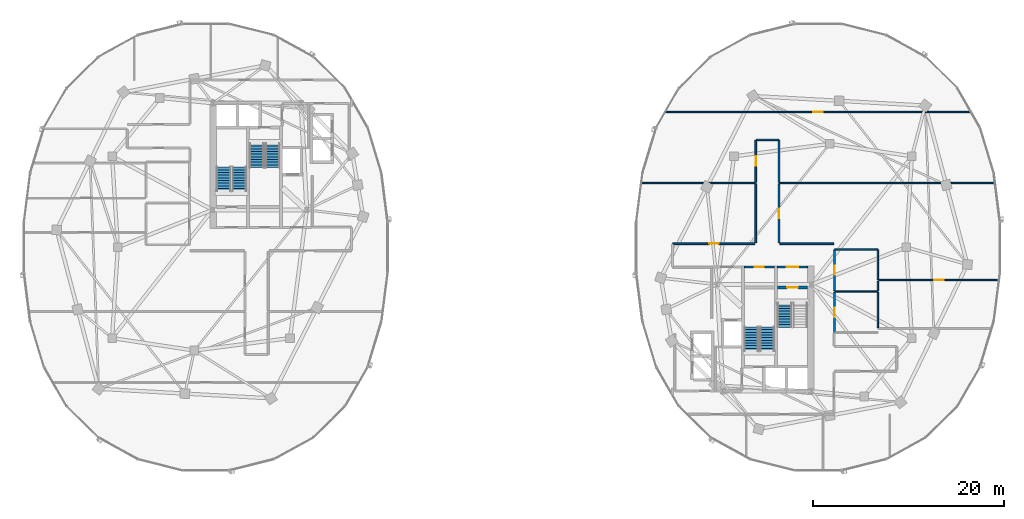
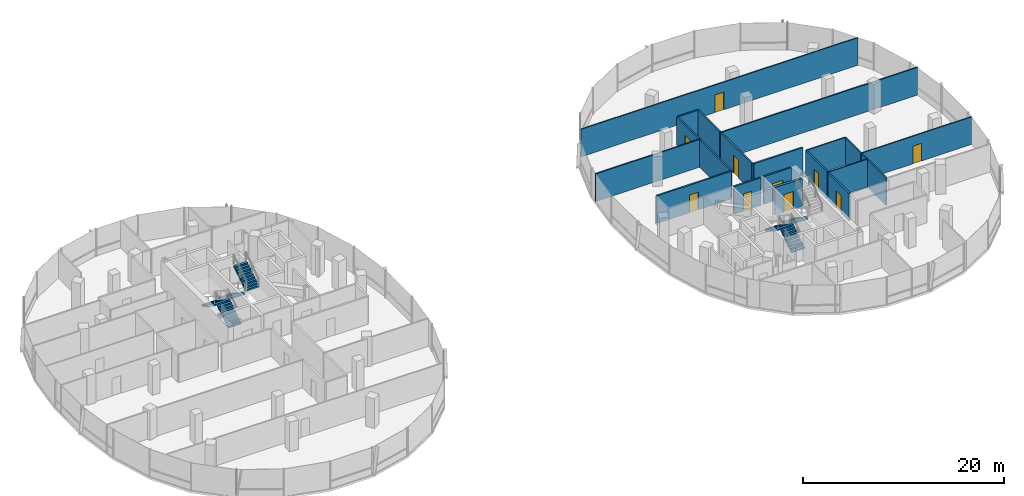
# One storey, part 15 of 23: 21 walls, 10 doors, 7 stair flights, 10 openings, 4 elements without a shape of their own.
"""IFC4 building model written with IfcOpenShell, lengths in metres."""

from ifc_helpers import new_model, si_unit, direction, frame, frame_2d, origin, place, context, subcontext, project, spatial, polyline, rectangle, outline, extrude, material, layer, layer_set, type_object, element, fill, aggregate, save


model = new_model("IFC4")

# Units and contexts
model_context = context("Model", 3, precision=1e-05, world=origin(), true_north=direction((0.0, 1.0)))
body_context = subcontext(model_context, "Body", "Model", "MODEL_VIEW")
ifc_project = project(units=[si_unit("LENGTHUNIT", "METRE"), si_unit("AREAUNIT", "SQUARE_METRE"), si_unit("VOLUMEUNIT", "CUBIC_METRE"), si_unit("PLANEANGLEUNIT", "RADIAN"), si_unit("MASSUNIT", "GRAM", prefix="KILO"), si_unit("THERMODYNAMICTEMPERATUREUNIT", "KELVIN"), si_unit("POWERUNIT", "WATT")], contexts=[model_context])

# Site, building, storey
site_placement = place(None, origin())
site = spatial("IfcSite", under=ifc_project, at=site_placement, CompositionType="ELEMENT")
building_placement = place(site_placement, origin())
building = spatial("IfcBuilding", under=site, at=building_placement, Name="Cundina Bronze Exchange", CompositionType="ELEMENT")
storey_placement = place(building_placement, frame((0.0, 0.0, 169.199951171875)))
storey = spatial("IfcBuildingStorey", under=building, at=storey_placement, Name="L44", CompositionType="ELEMENT", Elevation=169.199951171875)

# Wall, opening, door
ifc_material_1 = material(Name="Gypsum Fireboard Partition EI120")
ifc_layer_1 = layer(ifc_material_1, 0.179931640625, Name="Gypsum Fireboard Partition EI120")
ifc_layer_set_1 = layer_set([ifc_layer_1], Name="Gypsum Fireboard Partition EI120")
wall_type_1 = type_object("IfcWallType", Name="WL-COR-180", PredefinedType="PARTITIONING", material=ifc_layer_set_1)
wall_1_placement = place(storey_placement, frame((27.739990234375, -2.06005859375, 0.0), z_axis=(0.0, 0.0, 1.0), x_axis=(1.0, 0.0, 0.0)))
wall_1 = element("IfcWall", 1, at=wall_1_placement, inside=storey, type_object=wall_type_1, Name="L44 E Stair Vestibule Exit Wall", PredefinedType="PARTITIONING", context=body_context, shape_type="SweptSolid", body=[
    extrude(rectangle(XDim=3.159912109375, YDim=0.179931640625, at=frame_2d((1.580078125, 0.0))), origin(), (0.0, 0.0, 1.0), 3.360107421875),
])
opening_1_placement = place(wall_1_placement, frame((0.97998046875, 0.0, 0.0)))
opening_1 = element("IfcOpeningElement", 2, at=opening_1_placement, cuts=wall_1, Name="Opening DF-01", PredefinedType="OPENING", context=body_context, shape_type="SweptSolid", body=[
    extrude(rectangle(XDim=1.199951171875, YDim=2.14990234375, at=frame_2d((0.60009765625, 1.074951171875))), frame((0.0, 0.099853515625, 0.0), z_axis=(0.0, -1.0, 0.0), x_axis=(1.0, 0.0, 0.0)), (0.0, 0.0, 1.0), 0.199951171875),
])
ifc_material_2 = material(Name="Steel ASTM A36 Painted", Category="steel")
door_type_1 = type_object("IfcDoorType", Name="DR-FFL-1200", OperationType="NOTDEFINED", PredefinedType="DOOR", material=ifc_material_2)
door_1_placement = place(opening_1_placement, origin())
door_1 = element("IfcDoor", 3, at=door_1_placement, inside=storey, type_object=door_type_1, Name="L44 E Stair Vestibule Door", OperationType="SINGLE_SWING_RIGHT", OverallHeight=2.14990234375, OverallWidth=1.199951171875, PredefinedType="DOOR", context=body_context, shape_type="SweptSolid", body=[
    extrude(rectangle(XDim=1.199951171875, YDim=2.14990234375, at=frame_2d((0.60009765625, 1.074951171875))), frame((0.0, 0.02490234375, 0.0), z_axis=(0.0, -1.0, 0.0), x_axis=(1.0, 0.0, 0.0)), (0.0, 0.0, 1.0), 0.050048828125),
])
fill(opening_1, door_1)

wall_2_placement = place(storey_placement, frame((24.300048828125, -2.070068359375, 0.0), z_axis=(0.0, 0.0, 1.0), x_axis=(1.0, 0.0, 0.0)))
wall_2 = element("IfcWall", 4, at=wall_2_placement, inside=storey, type_object=wall_type_1, Name="L44 Interior Partition 051", PredefinedType="PARTITIONING", context=body_context, shape_type="SweptSolid", body=[
    extrude(rectangle(XDim=3.119873046875, YDim=0.179931640625, at=frame_2d((1.56005859375, 0.0))), origin(), (0.0, 0.0, 1.0), 3.360107421875),
])
opening_2_placement = place(wall_2_placement, frame((1.0849609375, 0.0, 0.0)))
opening_2 = element("IfcOpeningElement", 5, at=opening_2_placement, cuts=wall_2, Name="Opening DW-01", PredefinedType="OPENING", context=body_context, shape_type="SweptSolid", body=[
    extrude(rectangle(XDim=0.949951171875, YDim=2.10009765625, at=frame_2d((0.47509765625, 1.050048828125))), frame((0.0, 0.099853515625, 0.0), z_axis=(0.0, -1.0, 0.0), x_axis=(1.0, 0.0, 0.0)), (0.0, 0.0, 1.0), 0.199951171875),
])
ifc_material_3 = material(Name="Solid Andean Oak Timber Grade A", Category="wood")
door_type_2 = type_object("IfcDoorType", Name="DR-WC-950", OperationType="NOTDEFINED", PredefinedType="DOOR", material=ifc_material_3)
door_2_placement = place(opening_2_placement, origin())
door_2 = element("IfcDoor", 6, at=door_2_placement, inside=storey, type_object=door_type_2, Name="L44 Interior Door 051", OperationType="SINGLE_SWING_RIGHT", OverallHeight=2.10009765625, OverallWidth=0.949951171875, PredefinedType="DOOR", context=body_context, shape_type="SweptSolid", body=[
    extrude(rectangle(XDim=0.949951171875, YDim=2.10009765625, at=frame_2d((0.47509765625, 1.050048828125))), frame((0.0, 0.02490234375, 0.0), z_axis=(0.0, -1.0, 0.0), x_axis=(1.0, 0.0, 0.0)), (0.0, 0.0, 1.0), 0.050048828125),
])
fill(opening_2, door_2)

wall_3_placement = place(storey_placement, frame((33.719970703125, -4.530029296875, 0.0), z_axis=(0.0, 0.0, 1.0), x_axis=(0.0, 1.0, 0.0)))
wall_3 = element("IfcWall", 7, at=wall_3_placement, inside=storey, type_object=wall_type_1, Name="L44 Interior Partition 059", PredefinedType="PARTITIONING", context=body_context, shape_type="SweptSolid", body=[
    extrude(rectangle(XDim=4.260009765625, YDim=0.179931640625, at=frame_2d((2.1298828125, 0.0))), origin(), (0.0, 0.0, 1.0), 3.360107421875),
])
opening_3_placement = place(wall_3_placement, frame((1.655029296875, 0.0, 0.0)))
opening_3 = element("IfcOpeningElement", 8, at=opening_3_placement, cuts=wall_3, Name="Opening DW-01", PredefinedType="OPENING", context=body_context, shape_type="SweptSolid", body=[
    extrude(rectangle(XDim=0.949951171875, YDim=2.10009765625, at=frame_2d((0.47509765625, 1.050048828125))), frame((0.0, 0.099853515625, 0.0), z_axis=(0.0, -1.0, 0.0), x_axis=(1.0, 0.0, 0.0)), (0.0, 0.0, 1.0), 0.199951171875),
])
door_3_placement = place(opening_3_placement, origin())
door_3 = element("IfcDoor", 9, at=door_3_placement, inside=storey, type_object=door_type_2, Name="L44 Interior Door 059", OperationType="SINGLE_SWING_RIGHT", OverallHeight=2.10009765625, OverallWidth=0.949951171875, PredefinedType="DOOR", context=body_context, shape_type="SweptSolid", body=[
    extrude(rectangle(XDim=0.949951171875, YDim=2.10009765625, at=frame_2d((0.47509765625, 1.050048828125))), frame((0.0, 0.02490234375, 0.0), z_axis=(0.0, -1.0, 0.0), x_axis=(1.0, 0.0, 0.0)), (0.0, 0.0, 1.0), 0.050048828125),
])
fill(opening_3, door_3)

wall_4_placement = place(storey_placement, frame((33.719970703125, -8.889892578125, 0.0), z_axis=(0.0, 0.0, 1.0), x_axis=(0.0, 1.0, 0.0)))
wall_4 = element("IfcWall", 10, at=wall_4_placement, inside=storey, type_object=wall_type_1, Name="L44 Interior Partition 060", PredefinedType="PARTITIONING", context=body_context, shape_type="SweptSolid", body=[
    extrude(rectangle(XDim=4.159912109375, YDim=0.179931640625, at=frame_2d((2.080078125, 0.0))), origin(), (0.0, 0.0, 1.0), 3.360107421875),
])
opening_4_placement = place(wall_4_placement, frame((1.580078125, 0.0, 0.0)))
opening_4 = element("IfcOpeningElement", 11, at=opening_4_placement, cuts=wall_4, Name="Opening DO-01", PredefinedType="OPENING", context=body_context, shape_type="SweptSolid", body=[
    extrude(rectangle(XDim=1.0, YDim=2.14990234375, at=frame_2d((0.5, 1.074951171875))), frame((0.0, 0.099853515625, 0.0), z_axis=(0.0, -1.0, 0.0), x_axis=(1.0, 0.0, 0.0)), (0.0, 0.0, 1.0), 0.199951171875),
])
door_type_3 = type_object("IfcDoorType", Name="DR-OFF-1000", OperationType="NOTDEFINED", PredefinedType="DOOR", material=ifc_material_3)
door_4_placement = place(opening_4_placement, origin())
door_4 = element("IfcDoor", 12, at=door_4_placement, inside=storey, type_object=door_type_3, Name="L44 Interior Door 060", OperationType="SINGLE_SWING_RIGHT", OverallHeight=2.14990234375, OverallWidth=1.0, PredefinedType="DOOR", context=body_context, shape_type="SweptSolid", body=[
    extrude(rectangle(XDim=1.0, YDim=2.14990234375, at=frame_2d((0.5, 1.074951171875))), frame((0.0, 0.02490234375, 0.0), z_axis=(0.0, -1.0, 0.0), x_axis=(1.0, 0.0, 0.0)), (0.0, 0.0, 1.0), 0.050048828125),
])
fill(opening_4, door_4)

wall_5_placement = place(storey_placement, frame((25.39990234375, 0.3701171875, 0.0), z_axis=(0.0, 0.0, 1.0), x_axis=(-1.0, 0.0, 0.0)))
wall_5 = element("IfcWall", 13, at=wall_5_placement, inside=storey, type_object=wall_type_1, Name="L44 Interior Partition 075", PredefinedType="PARTITIONING", context=body_context, shape_type="SweptSolid", body=[
    extrude(rectangle(XDim=8.578369140625, YDim=0.179931640625, at=frame_2d((4.2890625, 0.0))), origin(), (0.0, 0.0, 1.0), 3.360107421875),
])
opening_5_placement = place(wall_5_placement, frame((3.789306640625, 0.0, 0.0)))
opening_5 = element("IfcOpeningElement", 14, at=opening_5_placement, cuts=wall_5, Name="Opening DO-01", PredefinedType="OPENING", context=body_context, shape_type="SweptSolid", body=[
    extrude(rectangle(XDim=1.0, YDim=2.14990234375, at=frame_2d((0.5, 1.074951171875))), frame((0.0, 0.099853515625, 0.0), z_axis=(0.0, -1.0, 0.0), x_axis=(1.0, 0.0, 0.0)), (0.0, 0.0, 1.0), 0.199951171875),
])
door_5_placement = place(opening_5_placement, origin())
door_5 = element("IfcDoor", 15, at=door_5_placement, inside=storey, type_object=door_type_3, Name="L44 Interior Door 075", OperationType="SINGLE_SWING_RIGHT", OverallHeight=2.14990234375, OverallWidth=1.0, PredefinedType="DOOR", context=body_context, shape_type="SweptSolid", body=[
    extrude(rectangle(XDim=1.0, YDim=2.14990234375, at=frame_2d((0.5, 1.074951171875))), frame((0.0, 0.02490234375, 0.0), z_axis=(0.0, -1.0, 0.0), x_axis=(1.0, 0.0, 0.0)), (0.0, 0.0, 1.0), 0.050048828125),
])
fill(opening_5, door_5)

# Wall
wall_6_placement = place(storey_placement, frame((25.47998046875, 6.6201171875, 0.0), z_axis=(0.0, 0.0, 1.0), x_axis=(0.0, -1.0, 0.0)))
element("IfcWall", 16, at=wall_6_placement, inside=storey, type_object=wall_type_1, Name="L44 Interior Partition 076", PredefinedType="PARTITIONING", context=body_context, shape_type="SweptSolid", body=[
    extrude(rectangle(XDim=6.170166015625, YDim=0.179931640625, at=frame_2d((3.0849609375, 0.0))), origin(), (0.0, 0.0, 1.0), 3.360107421875),
])

# Wall, opening, door
wall_7_placement = place(storey_placement, frame((27.919921875, 0.449951171875, 0.0), z_axis=(0.0, 0.0, 1.0), x_axis=(0.0, 1.0, 0.0)))
wall_7 = element("IfcWall", 17, at=wall_7_placement, inside=storey, type_object=wall_type_1, Name="L44 Interior Partition 080", PredefinedType="PARTITIONING", context=body_context, shape_type="SweptSolid", body=[
    extrude(rectangle(XDim=6.170166015625, YDim=0.179931640625, at=frame_2d((3.0849609375, 0.0))), origin(), (0.0, 0.0, 1.0), 3.360107421875),
])
opening_6_placement = place(wall_7_placement, frame((2.5849609375, 0.0, 0.0)))
opening_6 = element("IfcOpeningElement", 18, at=opening_6_placement, cuts=wall_7, Name="Opening DO-01", PredefinedType="OPENING", context=body_context, shape_type="SweptSolid", body=[
    extrude(rectangle(XDim=1.0, YDim=2.14990234375, at=frame_2d((0.5, 1.074951171875))), frame((0.0, 0.099853515625, 0.0), z_axis=(0.0, -1.0, 0.0), x_axis=(1.0, 0.0, 0.0)), (0.0, 0.0, 1.0), 0.199951171875),
])
door_6_placement = place(opening_6_placement, origin())
door_6 = element("IfcDoor", 19, at=door_6_placement, inside=storey, type_object=door_type_3, Name="L44 Interior Door 080", OperationType="SINGLE_SWING_LEFT", OverallHeight=2.14990234375, OverallWidth=1.0, PredefinedType="DOOR", context=body_context, shape_type="SweptSolid", body=[
    extrude(rectangle(XDim=1.0, YDim=2.14990234375, at=frame_2d((0.5, 1.074951171875))), frame((0.0, 0.02490234375, 0.0), z_axis=(0.0, -1.0, 0.0), x_axis=(1.0, 0.0, 0.0)), (0.0, 0.0, 1.0), 0.050048828125),
])
fill(opening_6, door_6)

# Wall
wall_8_placement = place(storey_placement, frame((33.62841796875, 0.3701171875, 0.0), z_axis=(0.0, 0.0, 1.0), x_axis=(-1.0, 0.0, 0.0)))
element("IfcWall", 20, at=wall_8_placement, inside=storey, type_object=wall_type_1, Name="L44 Interior Partition 081", PredefinedType="PARTITIONING", context=body_context, shape_type="SweptSolid", body=[
    extrude(rectangle(XDim=5.62841796875, YDim=0.179931640625, at=frame_2d((2.814208984375, 0.0))), origin(), (0.0, 0.0, 1.0), 3.360107421875),
])

# Wall, opening, door
wall_9_placement = place(storey_placement, frame((25.47998046875, 11.178466796875, 0.0), z_axis=(0.0, 0.0, 1.0), x_axis=(0.0, -1.0, 0.0)))
wall_9 = element("IfcWall", 21, at=wall_9_placement, inside=storey, type_object=wall_type_1, Name="L44 Interior Partition 082", PredefinedType="PARTITIONING", context=body_context, shape_type="SweptSolid", body=[
    extrude(rectangle(XDim=4.37841796875, YDim=0.179931640625, at=frame_2d((2.189208984375, 0.0))), origin(), (0.0, 0.0, 1.0), 3.360107421875),
])
opening_7_placement = place(wall_9_placement, frame((1.689208984375, 0.0, 0.0)))
opening_7 = element("IfcOpeningElement", 22, at=opening_7_placement, cuts=wall_9, Name="Opening DO-01", PredefinedType="OPENING", context=body_context, shape_type="SweptSolid", body=[
    extrude(rectangle(XDim=1.0, YDim=2.14990234375, at=frame_2d((0.5, 1.074951171875))), frame((0.0, 0.099853515625, 0.0), z_axis=(0.0, -1.0, 0.0), x_axis=(1.0, 0.0, 0.0)), (0.0, 0.0, 1.0), 0.199951171875),
])
door_7_placement = place(opening_7_placement, origin())
door_7 = element("IfcDoor", 23, at=door_7_placement, inside=storey, type_object=door_type_3, Name="L44 Interior Door 082", OperationType="SINGLE_SWING_LEFT", OverallHeight=2.14990234375, OverallWidth=1.0, PredefinedType="DOOR", context=body_context, shape_type="SweptSolid", body=[
    extrude(rectangle(XDim=1.0, YDim=2.14990234375, at=frame_2d((0.5, 1.074951171875))), frame((0.0, 0.02490234375, 0.0), z_axis=(0.0, -1.0, 0.0), x_axis=(1.0, 0.0, 0.0)), (0.0, 0.0, 1.0), 0.050048828125),
])
fill(opening_7, door_7)

# Walls
wall_10_placement = place(storey_placement, frame((27.919921875, 6.800048828125, 0.0), z_axis=(0.0, 0.0, 1.0), x_axis=(0.0, 1.0, 0.0)))
element("IfcWall", 24, at=wall_10_placement, inside=storey, type_object=wall_type_1, Name="L44 Interior Partition 083", PredefinedType="PARTITIONING", context=body_context, shape_type="SweptSolid", body=[
    extrude(rectangle(XDim=4.37841796875, YDim=0.179931640625, at=frame_2d((2.189208984375, 0.0))), origin(), (0.0, 0.0, 1.0), 3.360107421875),
])
wall_11_placement = place(storey_placement, frame((27.87841796875, 11.219970703125, 0.0), z_axis=(0.0, 0.0, 1.0), x_axis=(-1.0, 0.0, 0.0)))
element("IfcWall", 25, at=wall_11_placement, inside=storey, type_object=wall_type_1, Name="L44 Interior Partition 084", PredefinedType="PARTITIONING", context=body_context, shape_type="SweptSolid", body=[
    extrude(rectangle(XDim=2.35693359375, YDim=0.179931640625, at=frame_2d((1.178466796875, 0.0))), origin(), (0.0, 0.0, 1.0), 3.360107421875),
])

# Wall, opening, door
ifc_material_4 = material(Name="Gypsum Acoustic Partition EI60")
ifc_layer_2 = layer(ifc_material_4, 0.125, Name="Gypsum Acoustic Partition EI60")
ifc_layer_set_2 = layer_set([ifc_layer_2], Name="Gypsum Acoustic Partition EI60")
wall_type_2 = type_object("IfcWallType", Name="WL-OFF-125", PredefinedType="PARTITIONING", material=ifc_layer_set_2)
wall_12_placement = place(storey_placement, frame((38.320068359375, -3.429931640625, 0.0), z_axis=(0.0, 0.0, 1.0), x_axis=(1.0, 0.0, 0.0)))
wall_12 = element("IfcWall", 26, at=wall_12_placement, inside=storey, type_object=wall_type_2, Name="L44 Interior Partition 085", PredefinedType="PARTITIONING", context=body_context, shape_type="SweptSolid", body=[
    extrude(rectangle(XDim=12.58544921875, YDim=0.125, at=frame_2d((6.292724609375, 0.0))), origin(), (0.0, 0.0, 1.0), 3.360107421875),
])
opening_8_placement = place(wall_12_placement, frame((5.792724609375, 0.0, 0.0)))
opening_8 = element("IfcOpeningElement", 27, at=opening_8_placement, cuts=wall_12, Name="Opening DO-01", PredefinedType="OPENING", context=body_context, shape_type="SweptSolid", body=[
    extrude(rectangle(XDim=1.0, YDim=2.14990234375, at=frame_2d((0.5, 1.074951171875))), frame((0.0, 0.072509765625, 0.0), z_axis=(0.0, -1.0, 0.0), x_axis=(1.0, 0.0, 0.0)), (0.0, 0.0, 1.0), 0.14501953125),
])
door_8_placement = place(opening_8_placement, origin())
door_8 = element("IfcDoor", 28, at=door_8_placement, inside=storey, type_object=door_type_3, Name="L44 Interior Door 085", OperationType="SINGLE_SWING_LEFT", OverallHeight=2.14990234375, OverallWidth=1.0, PredefinedType="DOOR", context=body_context, shape_type="SweptSolid", body=[
    extrude(rectangle(XDim=1.0, YDim=2.14990234375, at=frame_2d((0.5, 1.074951171875))), frame((0.0, 0.02490234375, 0.0), z_axis=(0.0, -1.0, 0.0), x_axis=(1.0, 0.0, 0.0)), (0.0, 0.0, 1.0), 0.050048828125),
])
fill(opening_8, door_8)

wall_13_placement = place(storey_placement, frame((47.929931640625, 14.139892578125, 0.0), z_axis=(0.0, 0.0, 1.0), x_axis=(-1.0, 0.0, 0.0)))
wall_13 = element("IfcWall", 29, at=wall_13_placement, inside=storey, type_object=wall_type_2, Name="L44 Interior Partition 086", PredefinedType="PARTITIONING", context=body_context, shape_type="SweptSolid", body=[
    extrude(rectangle(XDim=31.85986328125, YDim=0.125, at=frame_2d((15.929931640625, 0.0))), origin(), (0.0, 0.0, 1.0), 3.360107421875),
])
opening_9_placement = place(wall_13_placement, frame((15.429931640625, 0.0, 0.0)))
opening_9 = element("IfcOpeningElement", 30, at=opening_9_placement, cuts=wall_13, Name="Opening DO-01", PredefinedType="OPENING", context=body_context, shape_type="SweptSolid", body=[
    extrude(rectangle(XDim=1.0, YDim=2.14990234375, at=frame_2d((0.5, 1.074951171875))), frame((0.0, 0.072509765625, 0.0), z_axis=(0.0, -1.0, 0.0), x_axis=(1.0, 0.0, 0.0)), (0.0, 0.0, 1.0), 0.14501953125),
])
door_9_placement = place(opening_9_placement, origin())
door_9 = element("IfcDoor", 31, at=door_9_placement, inside=storey, type_object=door_type_3, Name="L44 Interior Door 086", OperationType="SINGLE_SWING_LEFT", OverallHeight=2.14990234375, OverallWidth=1.0, PredefinedType="DOOR", context=body_context, shape_type="SweptSolid", body=[
    extrude(rectangle(XDim=1.0, YDim=2.14990234375, at=frame_2d((0.5, 1.074951171875))), frame((0.0, 0.02490234375, 0.0), z_axis=(0.0, -1.0, 0.0), x_axis=(1.0, 0.0, 0.0)), (0.0, 0.0, 1.0), 0.050048828125),
])
fill(opening_9, door_9)

ifc_material_5 = material(Name="Concrete C50/60", Category="concrete")
ifc_layer_3 = layer(ifc_material_5, 0.300048828125, Name="Concrete C50/60", Category="concrete")
ifc_layer_set_3 = layer_set([ifc_layer_3], Name="Concrete C50/60")
wall_type_3 = type_object("IfcWallType", Name="WL-SHFT-300", PredefinedType="SHEAR", material=ifc_layer_set_3)
wall_14_placement = place(storey_placement, frame((27.739990234375, -4.199951171875, 0.0), z_axis=(0.0, 0.0, 1.0), x_axis=(1.0, 0.0, 0.0)))
wall_14 = element("IfcWall", 32, at=wall_14_placement, inside=storey, type_object=wall_type_3, Name="L44 Stair E1 Landing Wall", PredefinedType="SHEAR", context=body_context, shape_type="SweptSolid", body=[
    extrude(rectangle(XDim=3.159912109375, YDim=0.300048828125, at=frame_2d((1.580078125, 0.0))), origin(), (0.0, 0.0, 1.0), 3.360107421875),
])
opening_10_placement = place(wall_14_placement, frame((1.030029296875, 0.0, 0.0)))
opening_10 = element("IfcOpeningElement", 33, at=opening_10_placement, cuts=wall_14, Name="Opening DS-01", PredefinedType="OPENING", context=body_context, shape_type="SweptSolid", body=[
    extrude(rectangle(XDim=1.10009765625, YDim=2.14990234375, at=frame_2d((0.550048828125, 1.074951171875))), frame((0.0, 0.159912109375, 0.0), z_axis=(0.0, -1.0, 0.0), x_axis=(1.0, 0.0, 0.0)), (0.0, 0.0, 1.0), 0.320068359375),
])
door_type_4 = type_object("IfcDoorType", Name="DR-STR-1100", OperationType="NOTDEFINED", PredefinedType="DOOR", material=ifc_material_2)
door_10_placement = place(opening_10_placement, origin())
door_10 = element("IfcDoor", 34, at=door_10_placement, inside=storey, type_object=door_type_4, Name="L44 Smokeproof Stair E1 Door", OperationType="SINGLE_SWING_LEFT", OverallHeight=2.14990234375, OverallWidth=1.10009765625, PredefinedType="DOOR", context=body_context, shape_type="SweptSolid", body=[
    extrude(rectangle(XDim=1.10009765625, YDim=2.14990234375, at=frame_2d((0.550048828125, 1.074951171875))), frame((0.0, 0.02490234375, 0.0), z_axis=(0.0, -1.0, 0.0), x_axis=(1.0, 0.0, 0.0)), (0.0, 0.0, 1.0), 0.050048828125),
])
fill(opening_10, door_10)

# Walls
ifc_layer_4 = layer(ifc_material_4, 0.14990234375, Name="Gypsum Acoustic Partition EI60")
ifc_layer_set_4 = layer_set([ifc_layer_4], Name="Gypsum Acoustic Partition EI60")
wall_type_4 = type_object("IfcWallType", Name="WL-TEN-150", PredefinedType="PARTITIONING", material=ifc_layer_set_4)
wall_15_placement = place(storey_placement, frame((13.447021484375, 6.7099609375, 0.0), z_axis=(0.0, 0.0, 1.0), x_axis=(1.0, 0.0, 0.0)))
element("IfcWall", 35, at=wall_15_placement, inside=storey, type_object=wall_type_4, Name="L44 Interior Partition 061", PredefinedType="PARTITIONING", context=body_context, shape_type="SweptSolid", body=[
    extrude(rectangle(XDim=12.0029296875, YDim=0.14990234375, at=frame_2d((6.00146484375, 0.0))), origin(), (0.0, 0.0, 1.0), 3.360107421875),
])
wall_16_placement = place(storey_placement, frame((27.949951171875, 6.7099609375, 0.0), z_axis=(0.0, 0.0, 1.0), x_axis=(1.0, 0.0, 0.0)))
element("IfcWall", 36, at=wall_16_placement, inside=storey, type_object=wall_type_4, Name="L44 Interior Partition 062", PredefinedType="PARTITIONING", context=body_context, shape_type="SweptSolid", body=[
    extrude(rectangle(XDim=22.60302734375, YDim=0.14990234375, at=frame_2d((11.301513671875, 0.0))), origin(), (0.0, 0.0, 1.0), 3.360107421875),
])
ifc_material_6 = material(Name="Moisture-Resistant Masonry Block Grade M15", Category="masonry")
ifc_layer_5 = layer(ifc_material_6, 0.139892578125, Name="Moisture-Resistant Masonry Block Grade M15", Category="masonry")
ifc_layer_set_5 = layer_set([ifc_layer_5], Name="Moisture-Resistant Masonry Block Grade M15")
wall_type_5 = type_object("IfcWallType", Name="WL-WET-140", PredefinedType="PARTITIONING", material=ifc_layer_set_5)
wall_17_placement = place(storey_placement, frame((38.239990234375, -8.39501953125, 0.0), z_axis=(0.0, 0.0, 1.0), x_axis=(0.0, 1.0, 0.0)))
element("IfcWall", 37, at=wall_17_placement, inside=storey, type_object=wall_type_5, Name="L44 Interior Partition 053", PredefinedType="PARTITIONING", context=body_context, shape_type="SweptSolid", body=[
    extrude(rectangle(XDim=3.679931640625, YDim=0.139892578125, at=frame_2d((1.83984375, 0.0))), origin(), (0.0, 0.0, 1.0), 3.360107421875),
])
wall_18_placement = place(storey_placement, frame((38.239990234375, -4.544921875, 0.0), z_axis=(0.0, 0.0, 1.0), x_axis=(0.0, 1.0, 0.0)))
element("IfcWall", 38, at=wall_18_placement, inside=storey, type_object=wall_type_5, Name="L44 Interior Partition 054", PredefinedType="PARTITIONING", context=body_context, shape_type="SweptSolid", body=[
    extrude(rectangle(XDim=0.97998046875, YDim=0.139892578125, at=frame_2d((0.489990234375, 0.0))), origin(), (0.0, 0.0, 1.0), 3.360107421875),
])
wall_19_placement = place(storey_placement, frame((38.239990234375, -3.39501953125, 0.0), z_axis=(0.0, 0.0, 1.0), x_axis=(0.0, 1.0, 0.0)))
element("IfcWall", 39, at=wall_19_placement, inside=storey, type_object=wall_type_5, Name="L44 Interior Partition 055", PredefinedType="PARTITIONING", context=body_context, shape_type="SweptSolid", body=[
    extrude(rectangle(XDim=3.125, YDim=0.139892578125, at=frame_2d((1.5625, 0.0))), origin(), (0.0, 0.0, 1.0), 3.360107421875),
])
for number, where, z_axis, x_axis, name in (
    (40, (33.739990234375, -0.25, 0.0), (0.0, 0.0, 1.0), (1.0, 0.0, 0.0), "L44 Interior Partition 056"),
    (41, (33.739990234375, -4.6298828125, 0.0), (0.0, 0.0, 1.0), (1.0, 0.0, 0.0), "L44 Interior Partition 057"),
):
    element("IfcWall", number, at=place(storey_placement, frame(where, z_axis=z_axis, x_axis=x_axis)), inside=storey, type_object=wall_type_5, Name=name, PredefinedType="PARTITIONING", context=body_context, shape_type="SweptSolid", body=[
        extrude(rectangle(XDim=4.47998046875, YDim=0.139892578125, at=frame_2d((2.239990234375, 0.0))), origin(), (0.0, 0.0, 1.0), 3.360107421875),
    ])

# Stair, stair flights
ifc_material_7 = material(Name="Concrete C40/50", Category="concrete")
stair_type = type_object("IfcStairType", Name="STR-OFF-360", PredefinedType="HALF_TURN_STAIR", material=ifc_material_7)
stair_1_placement = place(storey_placement, origin())
stair_1 = element("IfcStair", 42, at=stair_1_placement, inside=storey, type_object=stair_type, Name="L44 Smokeproof Exit Stair W1", PredefinedType="HALF_TURN_STAIR")
stair_flight_type = type_object("IfcStairFlightType", Name="FLG-OFF-180", PredefinedType="STRAIGHT", material=ifc_material_7)
stair_flight_1_placement = place(storey_placement, frame((-28.489990234375, 5.85009765625, 0.0), z_axis=(0.0, 0.0, 1.0), x_axis=(0.0, 1.0, 0.0)))
stair_flight_1 = element("IfcStairFlight", 43, at=stair_flight_1_placement, type_object=stair_flight_type, Name="ST-W1 flight 1", NumberOfRisers=10, NumberOfTreads=9, PredefinedType="STRAIGHT", RiserHeight=0.18, TreadLength=0.28, context=body_context, shape_type="SweptSolid", body=[
    extrude(outline(polyline([(0.0, 0.0), (0.0, 0.179931640625), (0.280029296875, 0.179931640625), (0.280029296875, 0.360107421875), (0.56005859375, 0.360107421875), (0.56005859375, 0.5400390625), (0.840087890625, 0.5400390625), (0.840087890625, 0.719970703125), (1.1201171875, 0.719970703125), (1.1201171875, 0.89990234375), (1.39990234375, 0.89990234375), (1.39990234375, 1.080078125), (1.679931640625, 1.080078125), (1.679931640625, 1.260009765625), (1.9599609375, 1.260009765625), (1.9599609375, 1.43994140625), (2.239990234375, 1.43994140625), (2.239990234375, 1.6201171875), (2.52001953125, 1.6201171875), (2.52001953125, 1.800048828125), (2.52001953125, 1.44189453125), (0.277099609375, 0.0), (0.0, 0.0)])), frame((0.0, 0.75, 0.0), z_axis=(0.0, -1.0, 0.0), x_axis=(1.0, 0.0, 0.0)), (0.0, 0.0, 1.0), 1.5),
])
stair_flight_2_placement = place(storey_placement, frame((-30.14990234375, 8.3701171875, 1.800048828125), z_axis=(0.0, 0.0, 1.0), x_axis=(0.0, -1.0, 0.0)))
stair_flight_2 = element("IfcStairFlight", 44, at=stair_flight_2_placement, type_object=stair_flight_type, Name="ST-W1 flight 2", NumberOfRisers=10, NumberOfTreads=9, PredefinedType="STRAIGHT", RiserHeight=0.18, TreadLength=0.28, context=body_context, shape_type="SweptSolid", body=[
    extrude(outline(polyline([(0.0, 0.0), (0.0, 0.179931640625), (0.280029296875, 0.179931640625), (0.280029296875, 0.360107421875), (0.56005859375, 0.360107421875), (0.56005859375, 0.5400390625), (0.840087890625, 0.5400390625), (0.840087890625, 0.719970703125), (1.1201171875, 0.719970703125), (1.1201171875, 0.89990234375), (1.39990234375, 0.89990234375), (1.39990234375, 1.080078125), (1.679931640625, 1.080078125), (1.679931640625, 1.260009765625), (1.9599609375, 1.260009765625), (1.9599609375, 1.43994140625), (2.239990234375, 1.43994140625), (2.239990234375, 1.6201171875), (2.52001953125, 1.6201171875), (2.52001953125, 1.800048828125), (2.52001953125, 1.44189453125), (0.277099609375, 0.0), (0.0, 0.0)])), frame((0.0, 0.75, 0.0), z_axis=(0.0, -1.0, 0.0), x_axis=(1.0, 0.0, 0.0)), (0.0, 0.0, 1.0), 1.5),
])
aggregate(stair_1, [stair_flight_1, stair_flight_2])

stair_2_placement = place(storey_placement, origin())
stair_2 = element("IfcStair", 45, at=stair_2_placement, inside=storey, type_object=stair_type, Name="L44 Smokeproof Exit Stair W2", PredefinedType="HALF_TURN_STAIR")
stair_flight_3_placement = place(storey_placement, frame((-26.68994140625, 10.85009765625, 0.0), z_axis=(0.0, 0.0, 1.0), x_axis=(0.0, -1.0, 0.0)))
stair_flight_3 = element("IfcStairFlight", 46, at=stair_flight_3_placement, type_object=stair_flight_type, Name="ST-W2 flight 1", NumberOfRisers=10, NumberOfTreads=9, PredefinedType="STRAIGHT", RiserHeight=0.18, TreadLength=0.28, context=body_context, shape_type="SweptSolid", body=[
    extrude(outline(polyline([(0.0, 0.0), (0.0, 0.179931640625), (0.280029296875, 0.179931640625), (0.280029296875, 0.360107421875), (0.56005859375, 0.360107421875), (0.56005859375, 0.5400390625), (0.840087890625, 0.5400390625), (0.840087890625, 0.719970703125), (1.1201171875, 0.719970703125), (1.1201171875, 0.89990234375), (1.39990234375, 0.89990234375), (1.39990234375, 1.080078125), (1.679931640625, 1.080078125), (1.679931640625, 1.260009765625), (1.9599609375, 1.260009765625), (1.9599609375, 1.43994140625), (2.239990234375, 1.43994140625), (2.239990234375, 1.6201171875), (2.52001953125, 1.6201171875), (2.52001953125, 1.800048828125), (2.52001953125, 1.44189453125), (0.277099609375, 0.0), (0.0, 0.0)])), frame((0.0, 0.75, 0.0), z_axis=(0.0, -1.0, 0.0), x_axis=(1.0, 0.0, 0.0)), (0.0, 0.0, 1.0), 1.5),
])
stair_flight_4_placement = place(storey_placement, frame((-25.030029296875, 8.330078125, 1.800048828125), z_axis=(0.0, 0.0, 1.0), x_axis=(0.0, 1.0, 0.0)))
stair_flight_4 = element("IfcStairFlight", 47, at=stair_flight_4_placement, type_object=stair_flight_type, Name="ST-W2 flight 2", NumberOfRisers=10, NumberOfTreads=9, PredefinedType="STRAIGHT", RiserHeight=0.18, TreadLength=0.28, context=body_context, shape_type="SweptSolid", body=[
    extrude(outline(polyline([(0.0, 0.0), (0.0, 0.179931640625), (0.280029296875, 0.179931640625), (0.280029296875, 0.360107421875), (0.56005859375, 0.360107421875), (0.56005859375, 0.5400390625), (0.840087890625, 0.5400390625), (0.840087890625, 0.719970703125), (1.1201171875, 0.719970703125), (1.1201171875, 0.89990234375), (1.39990234375, 0.89990234375), (1.39990234375, 1.080078125), (1.679931640625, 1.080078125), (1.679931640625, 1.260009765625), (1.9599609375, 1.260009765625), (1.9599609375, 1.43994140625), (2.239990234375, 1.43994140625), (2.239990234375, 1.6201171875), (2.52001953125, 1.6201171875), (2.52001953125, 1.800048828125), (2.52001953125, 1.44189453125), (0.277099609375, 0.0), (0.0, 0.0)])), frame((0.0, 0.75, 0.0), z_axis=(0.0, -1.0, 0.0), x_axis=(1.0, 0.0, 0.0)), (0.0, 0.0, 1.0), 1.5),
])
aggregate(stair_2, [stair_flight_3, stair_flight_4])

# Stair, stair flight
stair_3_placement = place(storey_placement, origin())
stair_3 = element("IfcStair", 48, at=stair_3_placement, inside=storey, type_object=stair_type, Name="L44 Smokeproof Exit Stair E1", PredefinedType="HALF_TURN_STAIR")
stair_flight_5_placement = place(storey_placement, frame((28.489990234375, -5.85009765625, 0.0), z_axis=(0.0, 0.0, 1.0), x_axis=(0.0, -1.0, 0.0)))
stair_flight_5 = element("IfcStairFlight", 49, at=stair_flight_5_placement, type_object=stair_flight_type, Name="ST-E1 flight 1", NumberOfRisers=10, NumberOfTreads=9, PredefinedType="STRAIGHT", RiserHeight=0.18, TreadLength=0.28, context=body_context, shape_type="SweptSolid", body=[
    extrude(outline(polyline([(0.0, 0.0), (0.0, 0.179931640625), (0.280029296875, 0.179931640625), (0.280029296875, 0.360107421875), (0.56005859375, 0.360107421875), (0.56005859375, 0.5400390625), (0.840087890625, 0.5400390625), (0.840087890625, 0.719970703125), (1.1201171875, 0.719970703125), (1.1201171875, 0.89990234375), (1.39990234375, 0.89990234375), (1.39990234375, 1.080078125), (1.679931640625, 1.080078125), (1.679931640625, 1.260009765625), (1.9599609375, 1.260009765625), (1.9599609375, 1.43994140625), (2.239990234375, 1.43994140625), (2.239990234375, 1.6201171875), (2.52001953125, 1.6201171875), (2.52001953125, 1.800048828125), (2.52001953125, 1.44189453125), (0.277099609375, 0.0), (0.0, 0.0)])), frame((0.0, 0.75, 0.0), z_axis=(0.0, -1.0, 0.0), x_axis=(1.0, 0.0, 0.0)), (0.0, 0.0, 1.0), 1.5),
])
aggregate(stair_3, [stair_flight_5])

# Stair, stair flights
stair_4_placement = place(storey_placement, origin())
stair_4 = element("IfcStair", 50, at=stair_4_placement, inside=storey, type_object=stair_type, Name="L44 Smokeproof Exit Stair E2", PredefinedType="HALF_TURN_STAIR")
stair_flight_6_placement = place(storey_placement, frame((26.68994140625, -10.85009765625, 0.0), z_axis=(0.0, 0.0, 1.0), x_axis=(0.0, 1.0, 0.0)))
stair_flight_6 = element("IfcStairFlight", 51, at=stair_flight_6_placement, type_object=stair_flight_type, Name="ST-E2 flight 1", NumberOfRisers=10, NumberOfTreads=9, PredefinedType="STRAIGHT", RiserHeight=0.18, TreadLength=0.28, context=body_context, shape_type="SweptSolid", body=[
    extrude(outline(polyline([(0.0, 0.0), (0.0, 0.179931640625), (0.280029296875, 0.179931640625), (0.280029296875, 0.360107421875), (0.56005859375, 0.360107421875), (0.56005859375, 0.5400390625), (0.840087890625, 0.5400390625), (0.840087890625, 0.719970703125), (1.1201171875, 0.719970703125), (1.1201171875, 0.89990234375), (1.39990234375, 0.89990234375), (1.39990234375, 1.080078125), (1.679931640625, 1.080078125), (1.679931640625, 1.260009765625), (1.9599609375, 1.260009765625), (1.9599609375, 1.43994140625), (2.239990234375, 1.43994140625), (2.239990234375, 1.6201171875), (2.52001953125, 1.6201171875), (2.52001953125, 1.800048828125), (2.52001953125, 1.44189453125), (0.277099609375, 0.0), (0.0, 0.0)])), frame((0.0, 0.75, 0.0), z_axis=(0.0, -1.0, 0.0), x_axis=(1.0, 0.0, 0.0)), (0.0, 0.0, 1.0), 1.5),
])
stair_flight_7_placement = place(storey_placement, frame((25.030029296875, -8.330078125, 1.800048828125), z_axis=(0.0, 0.0, 1.0), x_axis=(0.0, -1.0, 0.0)))
stair_flight_7 = element("IfcStairFlight", 52, at=stair_flight_7_placement, type_object=stair_flight_type, Name="ST-E2 flight 2", NumberOfRisers=10, NumberOfTreads=9, PredefinedType="STRAIGHT", RiserHeight=0.18, TreadLength=0.28, context=body_context, shape_type="SweptSolid", body=[
    extrude(outline(polyline([(0.0, 0.0), (0.0, 0.179931640625), (0.280029296875, 0.179931640625), (0.280029296875, 0.360107421875), (0.56005859375, 0.360107421875), (0.56005859375, 0.5400390625), (0.840087890625, 0.5400390625), (0.840087890625, 0.719970703125), (1.1201171875, 0.719970703125), (1.1201171875, 0.89990234375), (1.39990234375, 0.89990234375), (1.39990234375, 1.080078125), (1.679931640625, 1.080078125), (1.679931640625, 1.260009765625), (1.9599609375, 1.260009765625), (1.9599609375, 1.43994140625), (2.239990234375, 1.43994140625), (2.239990234375, 1.6201171875), (2.52001953125, 1.6201171875), (2.52001953125, 1.800048828125), (2.52001953125, 1.44189453125), (0.277099609375, 0.0), (0.0, 0.0)])), frame((0.0, 0.75, 0.0), z_axis=(0.0, -1.0, 0.0), x_axis=(1.0, 0.0, 0.0)), (0.0, 0.0, 1.0), 1.5),
])
aggregate(stair_4, [stair_flight_6, stair_flight_7])

save(model, "model.ifc")
